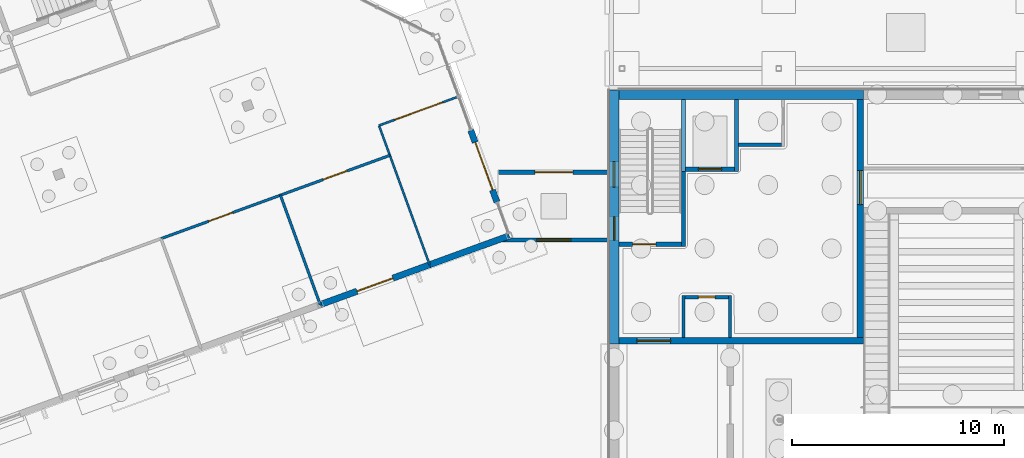
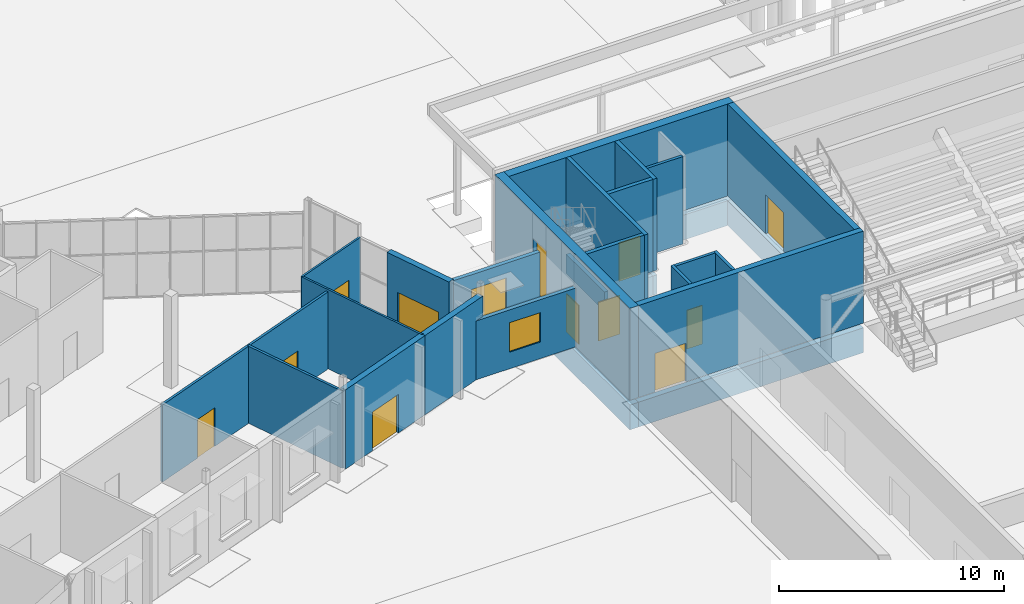
# One storey, part 93 of 157: 29 walls, 12 doors, 2 windows, 14 openings.
"""IFC4 building model written with IfcOpenShell, lengths in metres."""

import ifcopenshell
import ifcopenshell.guid

model = None  # the IFC model being written
_history = None  # IfcOwnerHistory: only IFC2X3 demands one
_inside = {}  # id of a spatial element -> (the spatial element, [elements in it])
_under = {}  # id of a project, library or spatial element -> (it, [spatial elements below it])
_declared = {}  # id of a project -> (the project, [libraries it declares])
_typed = {}  # id of a type object -> (the type object, [elements of that type])
_made_of = {}  # id of a material, layer set ... -> (it, [elements and type objects made of it])


def new_model(schema):
    """Start an empty IFC model of exactly this schema.

    Asked for "IFC4X3", IfcOpenShell would pick the latest addendum, in which some entities
    have other attributes; the version numbers below select the first issue.
    IFC2X3 requires an IfcOwnerHistory on every rooted entity: one is made here for all.
    """
    global model, _history
    if schema == "IFC4X3":
        model = ifcopenshell.file(schema_version=(4, 3, 0, 0))
    else:
        model = ifcopenshell.file(schema=schema)
    _inside.clear()
    _under.clear()
    _declared.clear()
    _typed.clear()
    _made_of.clear()
    _history = None
    if model.schema == "IFC2X3":
        org = make("IfcOrganization", Name="unknown")
        user = make(
            "IfcPersonAndOrganization",
            ThePerson=make("IfcPerson", FamilyName="unknown"),
            TheOrganization=org,
        )
        app = make(
            "IfcApplication",
            ApplicationDeveloper=org,
            Version="unknown",
            ApplicationFullName="unknown",
            ApplicationIdentifier="unknown",
        )
        _history = make(
            "IfcOwnerHistory",
            OwningUser=user,
            OwningApplication=app,
            ChangeAction="ADDED",
            CreationDate=0,
        )
    return model


def make(cls, **values):
    """One entity of the class cls with the attributes given. An attribute that is None is left unset."""
    return model.create_entity(
        cls, **{name: value for name, value in values.items() if value is not None}
    )


def rooted(cls, **values):
    """An entity with a GlobalId (a new one), such as an element, a storey or a relation."""
    return make(cls, GlobalId=ifcopenshell.guid.new(), OwnerHistory=_history, **values)


def si_unit(unit_type, name, prefix=None):
    """IfcSIUnit, for example si_unit("LENGTHUNIT", "METRE", prefix="MILLI")."""
    return make("IfcSIUnit", UnitType=unit_type, Prefix=prefix, Name=name)


def assignment(units):
    """IfcUnitAssignment: the units of a project."""
    return None if units is None else make("IfcUnitAssignment", Units=units)


def point(xyz):
    """IfcCartesianPoint."""
    return None if xyz is None else make("IfcCartesianPoint", Coordinates=xyz)


def direction(xyz):
    """IfcDirection."""
    return None if xyz is None else make("IfcDirection", DirectionRatios=xyz)


def frame(location, z_axis=None, x_axis=None):
    """IfcAxis2Placement3D, a coordinate frame: its origin and axes. An axis left out is left unset."""
    return make(
        "IfcAxis2Placement3D",
        Location=point(location),
        Axis=direction(z_axis),
        RefDirection=direction(x_axis),
    )


def frame_2d(location, x_axis=None):
    """IfcAxis2Placement2D, a coordinate frame in the plane: its origin and x axis."""
    return make(
        "IfcAxis2Placement2D", Location=point(location), RefDirection=direction(x_axis)
    )


def origin():
    """The frame at (0, 0, 0) with its axes left unset."""
    return frame((0.0, 0.0, 0.0))


def place(relative_to, where):
    """IfcLocalPlacement: puts the frame where relative to a parent placement (None: the world)."""
    return make(
        "IfcLocalPlacement", PlacementRelTo=relative_to, RelativePlacement=where
    )


def context(
    kind, dimensions, precision=None, world=None, true_north=None, identifier=None
):
    """IfcGeometricRepresentationContext, for example the 3D "Model" context."""
    return make(
        "IfcGeometricRepresentationContext",
        ContextIdentifier=identifier,
        ContextType=kind,
        CoordinateSpaceDimension=dimensions,
        Precision=precision,
        WorldCoordinateSystem=world,
        TrueNorth=true_north,
    )


def subcontext(parent, identifier, kind, view, scale=None):
    """IfcGeometricRepresentationSubContext, for example "Body" below "Model"."""
    return make(
        "IfcGeometricRepresentationSubContext",
        ContextIdentifier=identifier,
        ContextType=kind,
        ParentContext=parent,
        TargetScale=scale,
        TargetView=view,
    )


def project(units=None, contexts=None):
    """IfcProject with its units and contexts."""
    return rooted(
        "IfcProject",
        Name="project",
        RepresentationContexts=contexts,
        UnitsInContext=assignment(units),
    )


def spatial(cls, under=None, at=None, **own):
    """A site, building, storey or space (cls), placed at a placement, below another one or the project."""
    s = rooted(cls, ObjectPlacement=at, **own)
    if under is not None:
        _under.setdefault(under.id(), (under, []))[1].append(s)
    return s


def profile(cls, at=None, kind="AREA", **sizes):
    """A parametric profile (cls). Its sizes go by their IFC names, for example OverallWidth=200.0."""
    return make(cls, ProfileType=kind, Position=at, **sizes)


def rectangle(**sizes):
    """IfcRectangleProfileDef."""
    return profile("IfcRectangleProfileDef", **sizes)


def extrude(swept, where, along, depth):
    """IfcExtrudedAreaSolid: the profile swept, set in the frame where, extruded along a direction by depth."""
    return make(
        "IfcExtrudedAreaSolid",
        SweptArea=swept,
        Position=where,
        ExtrudedDirection=direction(along),
        Depth=depth,
    )


def shape(context_of_items, identifier, shape_type, items):
    """IfcShapeRepresentation: the items that make up one representation, for example the "Body"."""
    return make(
        "IfcShapeRepresentation",
        ContextOfItems=context_of_items,
        RepresentationIdentifier=identifier,
        RepresentationType=shape_type,
        Items=items,
    )


def material(Name=None, Category=None):
    """IfcMaterial."""
    return make("IfcMaterial", Name=Name, Category=Category)


def layer(
    of_material, thickness, ventilated=None, Name=None, Category=None, Priority=None
):
    """IfcMaterialLayer: one layer of a wall or slab, of a material (None: an air gap)."""
    return make(
        "IfcMaterialLayer",
        Material=of_material,
        LayerThickness=thickness,
        IsVentilated=ventilated,
        Name=Name,
        Category=Category,
        Priority=Priority,
    )


def layer_set(layers, Name=None):
    """IfcMaterialLayerSet."""
    return make("IfcMaterialLayerSet", MaterialLayers=layers, LayerSetName=Name)


def made_of(thing, what):
    """Note that an element or type object is made of a material, layer set ...; save() writes the relation."""
    if what is not None:
        _made_of.setdefault(what.id(), (what, []))[1].append(thing)
    return thing


def type_object(cls, material=None, **own):
    """A type object (cls), such as IfcWallType, which elements share."""
    return made_of(rooted(cls, **own), material)


def element(
    cls,
    number,
    at=None,
    inside=None,
    cuts=None,
    type_object=None,
    material=None,
    context=None,
    identifier="Body",
    shape_type=None,
    held_by="IfcProductDefinitionShape",
    body=None,
    shapes=None,
    **own,
):
    """One element of the class cls, such as IfcWall. Its Tag is "e" and its number.

    at: its placement. inside: the storey or other place that contains it. cuts: it is an
    opening in that element (IfcRelVoidsElement). A single representation is given by context,
    identifier, shape_type and body (its items); several are given by shapes. held_by: the class
    of the entity that holds the representations. save() writes the other relations.
    """
    e = rooted(cls, Tag="e%d" % number, ObjectPlacement=at, **own)
    if body is not None:
        shapes = [shape(context, identifier, shape_type, body)]
    if shapes is not None:
        e.Representation = make(held_by, Representations=shapes)
    if inside is not None:
        _inside.setdefault(inside.id(), (inside, []))[1].append(e)
    if cuts is not None:
        rooted(
            "IfcRelVoidsElement", RelatingBuildingElement=cuts, RelatedOpeningElement=e
        )
    if type_object is not None:
        _typed.setdefault(type_object.id(), (type_object, []))[1].append(e)
    return made_of(e, material)


def fill(opening, filler):
    """IfcRelFillsElement: the door or window that sits in an opening."""
    return rooted(
        "IfcRelFillsElement",
        RelatingOpeningElement=opening,
        RelatedBuildingElement=filler,
    )


def aggregate(whole, parts):
    """IfcRelAggregates: a whole, such as a stair, and the parts it consists of."""
    return rooted("IfcRelAggregates", RelatingObject=whole, RelatedObjects=parts)


def save(model, path):
    """Write the relations noted so far, then the file.

    IfcRelAggregates (storeys below a building ...), IfcRelContainedInSpatialStructure (elements
    in a storey), IfcRelDefinesByType, IfcRelAssociatesMaterial and IfcRelDeclares: one each for
    every whole, place, type object, material and project.
    """
    for whole, parts in _under.values():
        aggregate(whole, parts)
    for where, things in _inside.values():
        rooted(
            "IfcRelContainedInSpatialStructure",
            RelatedElements=things,
            RelatingStructure=where,
        )
    for kind, things in _typed.values():
        rooted("IfcRelDefinesByType", RelatedObjects=things, RelatingType=kind)
    for what, things in _made_of.values():
        rooted("IfcRelAssociatesMaterial", RelatedObjects=things, RelatingMaterial=what)
    for by, libraries in _declared.values():
        rooted("IfcRelDeclares", RelatingContext=by, RelatedDefinitions=libraries)
    model.write(path)


model = new_model("IFC4")

# Units and contexts
model_context = context("Model", 3, precision=1e-05, world=origin(), true_north=direction((0.0, 1.0)))
body_context = subcontext(model_context, "Body", "Model", "MODEL_VIEW")
ifc_project = project(units=[si_unit("LENGTHUNIT", "METRE"), si_unit("AREAUNIT", "SQUARE_METRE"), si_unit("VOLUMEUNIT", "CUBIC_METRE"), si_unit("PLANEANGLEUNIT", "RADIAN"), si_unit("MASSUNIT", "GRAM", prefix="KILO")], contexts=[model_context])

# Site, building, storey
site_placement = place(None, origin())
site = spatial("IfcSite", under=ifc_project, at=site_placement, CompositionType="ELEMENT")
building_placement = place(site_placement, origin())
building = spatial("IfcBuilding", under=site, at=building_placement, Name="Windward Yard Aquatics Centre", CompositionType="ELEMENT")
storey_placement = place(building_placement, origin())
storey = spatial("IfcBuildingStorey", under=building, at=storey_placement, Name="L00", CompositionType="ELEMENT", Elevation=0.0)

# Wall, opening, door
ifc_material_1 = material(Name="Concrete C35/45", Category="concrete")
ifc_layer_1 = layer(ifc_material_1, 0.199951171875)
ifc_layer_set_1 = layer_set([ifc_layer_1], Name="C link side wall 200")
wall_type_1 = type_object("IfcWallType", Name="C link side wall 200", PredefinedType="ELEMENTEDWALL", material=ifc_layer_set_1)
wall_1_placement = place(storey_placement, frame((46.765380859375, 92.10009765625, 0.0), z_axis=(0.0, 0.0, 1.0), x_axis=(1.0, 0.0, 0.0)))
wall_1 = element("IfcWall", 1, at=wall_1_placement, inside=storey, type_object=wall_type_1, Name="C.W.X.V3V1.L00.N", PredefinedType="ELEMENTEDWALL", context=body_context, shape_type="SweptSolid", body=[
    extrude(rectangle(XDim=5.234619140625, YDim=0.199951171875, at=frame_2d((2.6171875, 0.0))), origin(), (0.0, 0.0, 1.0), 3.199951171875),
])
opening_1_placement = place(wall_1_placement, frame((1.71728515625, 0.0, 0.0)))
opening_1 = element("IfcOpeningElement", 2, at=opening_1_placement, cuts=wall_1, Name="Opening C0006", PredefinedType="OPENING", context=body_context, shape_type="SweptSolid", body=[
    extrude(rectangle(XDim=1.800048828125, YDim=2.39990234375, at=frame_2d((0.89990234375, 1.199951171875))), frame((0.0, 0.10986328125, 0.0), z_axis=(0.0, -1.0, 0.0), x_axis=(1.0, 0.0, 0.0)), (0.0, 0.0, 1.0), 0.219970703125),
])
ifc_material_2 = material(Name="Aluminium and toughened glass", Category="aluminium")
door_type_1 = type_object("IfcDoorType", Name="C double door 1800X2400 NOT RATED", OperationType="DOUBLE_DOOR_SINGLE_SWING", PredefinedType="DOOR", material=ifc_material_2)
door_1_placement = place(opening_1_placement, origin())
door_1 = element("IfcDoor", 3, at=door_1_placement, inside=storey, type_object=door_type_1, Name="Link exit door to the yard", OperationType="DOUBLE_DOOR_SINGLE_SWING", OverallHeight=2.39990234375, OverallWidth=1.800048828125, PredefinedType="DOOR", context=body_context, shape_type="SweptSolid", body=[
    extrude(rectangle(XDim=1.800048828125, YDim=2.39990234375, at=frame_2d((0.89990234375, 1.199951171875))), frame((0.0, 0.02490234375, 0.0), z_axis=(0.0, -1.0, 0.0), x_axis=(1.0, 0.0, 0.0)), (0.0, 0.0, 1.0), 0.050048828125),
])
fill(opening_1, door_1)

# Wall, opening, window
wall_2_placement = place(storey_placement, frame((46.765380859375, 88.89990234375, 0.0), z_axis=(0.0, 0.0, 1.0), x_axis=(1.0, 0.0, 0.0)))
wall_2 = element("IfcWall", 4, at=wall_2_placement, inside=storey, type_object=wall_type_1, Name="C.W.X.V3V1.L00.S", PredefinedType="ELEMENTEDWALL", context=body_context, shape_type="SweptSolid", body=[
    extrude(rectangle(XDim=5.234619140625, YDim=0.199951171875, at=frame_2d((2.6171875, 0.0))), origin(), (0.0, 0.0, 1.0), 3.199951171875),
])
opening_2_placement = place(wall_2_placement, frame((1.8173828125, 0.0, 0.89990234375)))
opening_2 = element("IfcOpeningElement", 5, at=opening_2_placement, cuts=wall_2, Name="Opening CW0052", PredefinedType="OPENING", context=body_context, shape_type="SweptSolid", body=[
    extrude(rectangle(XDim=1.60009765625, YDim=1.60009765625, at=frame_2d((0.800048828125, 0.800048828125))), frame((0.0, 0.10986328125, 0.0), z_axis=(0.0, -1.0, 0.0), x_axis=(1.0, 0.0, 0.0)), (0.0, 0.0, 1.0), 0.219970703125),
])
ifc_material_3 = material(Name="Aluminium framed double glazing", Category="aluminium")
window_type_1 = type_object("IfcWindowType", Name="C window 1600X1600", PartitioningType="SINGLE_PANEL", PredefinedType="WINDOW", material=ifc_material_3)
window_1_placement = place(opening_2_placement, origin())
window_1 = element("IfcWindow", 6, at=window_1_placement, inside=storey, type_object=window_type_1, Name="Window CW0052", OverallHeight=1.60009765625, OverallWidth=1.60009765625, PartitioningType="SINGLE_PANEL", PredefinedType="WINDOW", context=body_context, shape_type="SweptSolid", body=[
    extrude(rectangle(XDim=1.60009765625, YDim=1.60009765625, at=frame_2d((0.800048828125, 0.800048828125))), frame((0.0, 0.030029296875, 0.0), z_axis=(0.0, -1.0, 0.0), x_axis=(1.0, 0.0, 0.0)), (0.0, 0.0, 1.0), 0.06005859375),
])
fill(opening_2, window_1)

# Wall
ifc_material_4 = material(Name="Laminated glass in aluminium frame", Category="aluminium")
ifc_layer_2 = layer(ifc_material_4, 0.10009765625)
ifc_layer_set_2 = layer_set([ifc_layer_2], Name="F glazed screen wall 100")
wall_type_2 = type_object("IfcWallType", Name="F glazed screen wall 100", PredefinedType="PARTITIONING", material=ifc_layer_set_2)
wall_3_placement = place(storey_placement, frame((43.515625, 87.7333984375, 0.0), z_axis=(0.0, 0.0, 1.0), x_axis=(-0.342037080957, 0.939686455819, 0.0)))
element("IfcWall", 7, at=wall_3_placement, inside=storey, type_object=wall_type_2, Name="F.WL.L00.P025", PredefinedType="PARTITIONING", context=body_context, shape_type="SweptSolid", body=[
    extrude(rectangle(XDim=7.0, YDim=0.10009765625, at=frame_2d((3.5, 0.0))), origin(), (0.0, 0.0, 1.0), 4.302978515625),
])

# Wall, opening, door
wall_4_placement = place(storey_placement, frame((41.121337890625, 94.311279296875, 0.0), z_axis=(0.0, 0.0, 1.0), x_axis=(0.939706071622, 0.341983185197, 0.0)))
wall_4 = element("IfcWall", 8, at=wall_4_placement, inside=storey, type_object=wall_type_2, Name="F.WL.L00.P026", PredefinedType="PARTITIONING", context=body_context, shape_type="SweptSolid", body=[
    extrude(rectangle(XDim=4.0, YDim=0.10009765625, at=frame_2d((2.0, 0.0))), origin(), (0.0, 0.0, 1.0), 4.302978515625),
])
opening_3_placement = place(wall_4_placement, frame((0.800048828125, 0.0, 0.0)))
opening_3 = element("IfcOpeningElement", 9, at=opening_3_placement, cuts=wall_4, Name="Opening F0013", PredefinedType="OPENING", context=body_context, shape_type="SweptSolid", body=[
    extrude(rectangle(XDim=2.39990234375, YDim=2.39990234375, at=frame_2d((1.199951171875, 1.199951171875))), frame((0.0, 0.06005859375, 0.0), z_axis=(0.0, -1.0, 0.0), x_axis=(1.0, 0.0, 0.0)), (0.0, 0.0, 1.0), 0.1201171875),
])
door_type_2 = type_object("IfcDoorType", Name="F automatic sliding door 2400x2400 aluminium", OperationType="SINGLE_SWING_LEFT", PredefinedType="DOOR", material=ifc_material_2)
door_2_placement = place(opening_3_placement, origin())
door_2 = element("IfcDoor", 10, at=door_2_placement, inside=storey, type_object=door_type_2, Name="Entrance Vestibule door F0013", OperationType="DOUBLE_DOOR_SLIDING", OverallHeight=2.39990234375, OverallWidth=2.39990234375, PredefinedType="DOOR", context=body_context, shape_type="SweptSolid", body=[
    extrude(rectangle(XDim=2.39990234375, YDim=2.39990234375, at=frame_2d((1.199951171875, 1.199951171875))), frame((0.0, 0.02490234375, 0.0), z_axis=(0.0, -1.0, 0.0), x_axis=(1.0, 0.0, 0.0)), (0.0, 0.0, 1.0), 0.050048828125),
])
fill(opening_3, door_2)

# Wall
ifc_material_5 = material(Name="Gypsum board on steel studs", Category="steel")
ifc_layer_3 = layer(ifc_material_5, 0.125)
ifc_layer_set_3 = layer_set([ifc_layer_3], Name="F partition 125 gypsum board")
wall_type_3 = type_object("IfcWallType", Name="F partition 125 gypsum board", PredefinedType="PARTITIONING", material=ifc_layer_set_3)
wall_5_placement = place(storey_placement, frame((38.347412109375, 85.852294921875, 0.0), z_axis=(0.0, 0.0, 1.0), x_axis=(-0.34202461616, 0.939690992795, 0.0)))
element("IfcWall", 11, at=wall_5_placement, inside=storey, type_object=wall_type_3, Name="F.WL.L00.P001", PredefinedType="PARTITIONING", context=body_context, shape_type="SweptSolid", body=[
    extrude(rectangle(XDim=5.5, YDim=0.125, at=frame_2d((2.75, 0.0))), origin(), (0.0, 0.0, 1.0), 4.18701171875),
])

# Wall, opening, door
wall_6_placement = place(storey_placement, frame((36.46630859375, 91.0205078125, 0.0), z_axis=(0.0, 0.0, 1.0), x_axis=(0.939690992795, 0.34202461616, 0.0)))
wall_6 = element("IfcWall", 12, at=wall_6_placement, inside=storey, type_object=wall_type_3, Name="F.WL.L00.P002", PredefinedType="PARTITIONING", context=body_context, shape_type="SweptSolid", body=[
    extrude(rectangle(XDim=5.5, YDim=0.125, at=frame_2d((2.75, 0.0))), origin(), (0.0, 0.0, 1.0), 4.18701171875),
])
opening_4_placement = place(wall_6_placement, frame((2.14990234375, 0.0, 0.0)))
opening_4 = element("IfcOpeningElement", 13, at=opening_4_placement, cuts=wall_6, Name="Opening F0012", PredefinedType="OPENING", context=body_context, shape_type="SweptSolid", body=[
    extrude(rectangle(XDim=1.199951171875, YDim=2.10009765625, at=frame_2d((0.60009765625, 1.050048828125))), frame((0.0, 0.072509765625, 0.0), z_axis=(0.0, -1.0, 0.0), x_axis=(1.0, 0.0, 0.0)), (0.0, 0.0, 1.0), 0.14501953125),
])
ifc_material_6 = material(Name="Timber, painted", Category="wood")
door_type_3 = type_object("IfcDoorType", Name="F fire door 1200x2100 timber FD30S", OperationType="SINGLE_SWING_LEFT", PredefinedType="DOOR", material=ifc_material_6)
door_3_placement = place(opening_4_placement, origin())
door_3 = element("IfcDoor", 14, at=door_3_placement, inside=storey, type_object=door_type_3, Name="Link Lobby door F0012", OperationType="SINGLE_SWING_LEFT", OverallHeight=2.10009765625, OverallWidth=1.199951171875, PredefinedType="DOOR", context=body_context, shape_type="SweptSolid", body=[
    extrude(rectangle(XDim=1.199951171875, YDim=2.10009765625, at=frame_2d((0.60009765625, 1.050048828125))), frame((0.0, 0.02490234375, 0.0), z_axis=(0.0, -1.0, 0.0), x_axis=(1.0, 0.0, 0.0)), (0.0, 0.0, 1.0), 0.050048828125),
])
fill(opening_4, door_3)

wall_7_placement = place(storey_placement, frame((30.827880859375, 88.968505859375, 0.0), z_axis=(0.0, 0.0, 1.0), x_axis=(0.939704292321, 0.341988074343, 0.0)))
wall_7 = element("IfcWall", 15, at=wall_7_placement, inside=storey, type_object=wall_type_3, Name="F.WL.L00.P020", PredefinedType="PARTITIONING", context=body_context, shape_type="SweptSolid", body=[
    extrude(rectangle(XDim=6.000244140625, YDim=0.125, at=frame_2d((3.0, 0.0))), origin(), (0.0, 0.0, 1.0), 4.18701171875),
])
opening_5_placement = place(wall_7_placement, frame((2.39990234375, 0.0, 0.0)))
opening_5 = element("IfcOpeningElement", 16, at=opening_5_placement, cuts=wall_7, Name="Opening F0011", PredefinedType="OPENING", context=body_context, shape_type="SweptSolid", body=[
    extrude(rectangle(XDim=1.199951171875, YDim=2.10009765625, at=frame_2d((0.60009765625, 1.050048828125))), frame((0.0, 0.072509765625, 0.0), z_axis=(0.0, -1.0, 0.0), x_axis=(1.0, 0.0, 0.0)), (0.0, 0.0, 1.0), 0.14501953125),
])
door_type_4 = type_object("IfcDoorType", Name="F door 1200x2100 timber", OperationType="SINGLE_SWING_LEFT", PredefinedType="DOOR", material=ifc_material_6)
door_4_placement = place(opening_5_placement, origin())
door_4 = element("IfcDoor", 17, at=door_4_placement, inside=storey, type_object=door_type_4, Name="First Aid Room door F0011", OperationType="SINGLE_SWING_RIGHT", OverallHeight=2.10009765625, OverallWidth=1.199951171875, PredefinedType="DOOR", context=body_context, shape_type="SweptSolid", body=[
    extrude(rectangle(XDim=1.199951171875, YDim=2.10009765625, at=frame_2d((0.60009765625, 1.050048828125))), frame((0.0, 0.02490234375, 0.0), z_axis=(0.0, -1.0, 0.0), x_axis=(1.0, 0.0, 0.0)), (0.0, 0.0, 1.0), 0.050048828125),
])
fill(opening_5, door_4)

ifc_material_7 = material(Name="Natural stone cladding", Category="masonry")
ifc_layer_4 = layer(ifc_material_7, 0.04, Name="Cladding")
ifc_material_8 = material(Name="Ventilated air cavity")
ifc_layer_5 = layer(ifc_material_8, 0.04, ventilated=True, Name="Ventilated cavity")
ifc_material_9 = material(Name="Mineral wool insulation")
ifc_layer_6 = layer(ifc_material_9, 0.06, Name="Insulation")
ifc_material_10 = material(Name="Concrete C40/50", Category="concrete")
ifc_layer_7 = layer(ifc_material_10, 0.16, Name="Structure")
ifc_layer_set_4 = layer_set([ifc_layer_4, ifc_layer_5, ifc_layer_6, ifc_layer_7], Name="F stone-faced infill wall 300 Concrete C40/50")
wall_type_4 = type_object("IfcWallType", Name="F stone-faced infill wall 300 Concrete C40/50", PredefinedType="ELEMENTEDWALL", material=ifc_layer_set_4)
wall_8_placement = place(storey_placement, frame((38.347412109375, 85.852294921875, 0.0), z_axis=(0.0, 0.0, 1.0), x_axis=(0.939690992795, 0.34202461616, 0.0)))
wall_8 = element("IfcWall", 18, at=wall_8_placement, inside=storey, type_object=wall_type_4, Name="F.WL.L00.E06", PredefinedType="ELEMENTEDWALL", context=body_context, shape_type="SweptSolid", body=[
    extrude(rectangle(XDim=5.5, YDim=0.300048828125, at=frame_2d((2.75, 0.0))), origin(), (0.0, 0.0, 1.0), 4.302978515625),
])
opening_6_placement = place(wall_8_placement, frame((1.85009765625, 0.0, 0.0)))
opening_6 = element("IfcOpeningElement", 19, at=opening_6_placement, cuts=wall_8, Name="Opening F0003", PredefinedType="OPENING", context=body_context, shape_type="SweptSolid", body=[
    extrude(rectangle(XDim=1.800048828125, YDim=2.10009765625, at=frame_2d((0.89990234375, 1.050048828125))), frame((0.0, 0.16015625, 0.0), z_axis=(0.0, -1.0, 0.0), x_axis=(1.0, 0.0, 0.0)), (0.0, 0.0, 1.0), 0.320068359375),
])
door_type_5 = type_object("IfcDoorType", Name="F glazed door 1800x2100 aluminium", OperationType="SINGLE_SWING_LEFT", PredefinedType="DOOR", material=ifc_material_2)
door_5_placement = place(opening_6_placement, origin())
door_5 = element("IfcDoor", 20, at=door_5_placement, inside=storey, type_object=door_type_5, Name="Link door F0003", OperationType="DOUBLE_DOOR_SINGLE_SWING", OverallHeight=2.10009765625, OverallWidth=1.800048828125, PredefinedType="DOOR", context=body_context, shape_type="SweptSolid", body=[
    extrude(rectangle(XDim=1.800048828125, YDim=2.10009765625, at=frame_2d((0.89990234375, 1.050048828125))), frame((0.0, 0.02490234375, 0.0), z_axis=(0.0, -1.0, 0.0), x_axis=(1.0, 0.0, 0.0)), (0.0, 0.0, 1.0), 0.050048828125),
])
fill(opening_6, door_5)

# Wall
wall_9_placement = place(storey_placement, frame((43.515625, 87.7333984375, 0.0), z_axis=(0.0, 0.0, 1.0), x_axis=(0.939686455819, 0.342037080957, 0.0)))
element("IfcWall", 21, at=wall_9_placement, inside=storey, type_object=wall_type_4, Name="F.WL.L00.E07", PredefinedType="ELEMENTEDWALL", context=body_context, shape_type="SweptSolid", body=[
    extrude(rectangle(XDim=4.0, YDim=0.300048828125, at=frame_2d((2.0, 0.0))), origin(), (0.0, 0.0, 1.0), 4.302978515625),
])

# Wall, opening, door
wall_10_placement = place(storey_placement, frame((46.69287109375, 90.698974609375, 0.0), z_axis=(0.0, 0.0, 1.0), x_axis=(-0.342009868999, 0.939696360271, 0.0)))
wall_10 = element("IfcWall", 22, at=wall_10_placement, inside=storey, type_object=wall_type_4, Name="F.WL.L00.P01", PredefinedType="ELEMENTEDWALL", context=body_context, shape_type="SweptSolid", body=[
    extrude(rectangle(XDim=3.599853515625, YDim=0.300048828125, at=frame_2d((1.7998046875, 0.0))), origin(), (0.0, 0.0, 1.0), 4.302978515625),
])
opening_7_placement = place(wall_10_placement, frame((0.60009765625, 0.0, 0.0)))
opening_7 = element("IfcOpeningElement", 23, at=opening_7_placement, cuts=wall_10, Name="Opening F0004", PredefinedType="OPENING", context=body_context, shape_type="SweptSolid", body=[
    extrude(rectangle(XDim=2.39990234375, YDim=2.39990234375, at=frame_2d((1.199951171875, 1.199951171875))), frame((0.0, 0.16015625, 0.0), z_axis=(0.0, -1.0, 0.0), x_axis=(1.0, 0.0, 0.0)), (0.0, 0.0, 1.0), 0.320068359375),
])
door_6_placement = place(opening_7_placement, origin())
door_6 = element("IfcDoor", 24, at=door_6_placement, inside=storey, type_object=door_type_2, Name="Main entrance door F0004", OperationType="DOUBLE_DOOR_SLIDING", OverallHeight=2.39990234375, OverallWidth=2.39990234375, PredefinedType="DOOR", context=body_context, shape_type="SweptSolid", body=[
    extrude(rectangle(XDim=2.39990234375, YDim=2.39990234375, at=frame_2d((1.199951171875, 1.199951171875))), frame((0.0, 0.02490234375, 0.0), z_axis=(0.0, -1.0, 0.0), x_axis=(1.0, 0.0, 0.0)), (0.0, 0.0, 1.0), 0.050048828125),
])
fill(opening_7, door_6)

# Wall
ifc_layer_8 = layer(ifc_material_1, 0.199951171875)
ifc_layer_set_5 = layer_set([ifc_layer_8], Name="H Enclosure Wall Concrete C35/45 200")
wall_type_5 = type_object("IfcWallType", Name="H Enclosure Wall Concrete C35/45 200", PredefinedType="SOLIDWALL", material=ifc_layer_set_5)
wall_11_placement = place(storey_placement, frame((55.5, 95.550048828125, 0.0), z_axis=(0.0, 0.0, 1.0), x_axis=(0.0, -1.0, 0.0)))
element("IfcWall", 25, at=wall_11_placement, inside=storey, type_object=wall_type_5, Name="L00 W1 enclosure wall NW", PredefinedType="SOLIDWALL", context=body_context, shape_type="SweptSolid", body=[
    extrude(rectangle(XDim=6.949951171875, YDim=0.199951171875, at=frame_2d((3.47509765625, 0.0))), origin(), (0.0, 0.0, 1.0), 5.0),
])

# Wall, opening, door
wall_12_placement = place(storey_placement, frame((52.449951171875, 88.699951171875, 0.0), z_axis=(0.0, 0.0, 1.0), x_axis=(1.0, 0.0, 0.0)))
wall_12 = element("IfcWall", 26, at=wall_12_placement, inside=storey, type_object=wall_type_5, Name="L00 W2 enclosure wall NW", PredefinedType="SOLIDWALL", context=body_context, shape_type="SweptSolid", body=[
    extrude(rectangle(XDim=2.949951171875, YDim=0.199951171875, at=frame_2d((1.47509765625, 0.0))), origin(), (0.0, 0.0, 1.0), 5.0),
])
opening_8_placement = place(wall_12_placement, frame((0.64990234375, 0.0, 0.0)))
opening_8 = element("IfcOpeningElement", 27, at=opening_8_placement, cuts=wall_12, Name="Opening H0015", PredefinedType="OPENING", context=body_context, shape_type="SweptSolid", body=[
    extrude(rectangle(XDim=1.10009765625, YDim=2.10009765625, at=frame_2d((0.550048828125, 1.050048828125))), frame((0.0, 0.10986328125, 0.0), z_axis=(0.0, -1.0, 0.0), x_axis=(1.0, 0.0, 0.0)), (0.0, 0.0, 1.0), 0.219970703125),
])
ifc_material_11 = material(Name="Steel and timber door leaf", Category="steel")
door_type_6 = type_object("IfcDoorType", Name="H Door Single 1100 x 2100 FD60", OperationType="NOTDEFINED", PredefinedType="DOOR", material=ifc_material_11)
door_7_placement = place(opening_8_placement, origin())
door_7 = element("IfcDoor", 28, at=door_7_placement, inside=storey, type_object=door_type_6, Name="L00 stair NW door", OperationType="SINGLE_SWING_RIGHT", OverallHeight=2.10009765625, OverallWidth=1.10009765625, PredefinedType="DOOR", context=body_context, shape_type="SweptSolid", body=[
    extrude(rectangle(XDim=1.10009765625, YDim=2.10009765625, at=frame_2d((0.550048828125, 1.050048828125))), frame((0.0, 0.02490234375, 0.0), z_axis=(0.0, -1.0, 0.0), x_axis=(1.0, 0.0, 0.0)), (0.0, 0.0, 1.0), 0.050048828125),
])
fill(opening_8, door_7)

# Wall
wall_13_placement = place(storey_placement, frame((58.0, 95.550048828125, 0.0), z_axis=(0.0, 0.0, 1.0), x_axis=(0.0, -1.0, 0.0)))
element("IfcWall", 29, at=wall_13_placement, inside=storey, type_object=wall_type_5, Name="L00 W3 enclosure wall NW", PredefinedType="SOLIDWALL", context=body_context, shape_type="SweptSolid", body=[
    extrude(rectangle(XDim=3.400146484375, YDim=0.199951171875, at=frame_2d((1.7001953125, 0.0))), origin(), (0.0, 0.0, 1.0), 5.0),
])

# Wall, opening, door
wall_14_placement = place(storey_placement, frame((55.60009765625, 92.25, 0.0), z_axis=(0.0, 0.0, 1.0), x_axis=(1.0, 0.0, 0.0)))
wall_14 = element("IfcWall", 30, at=wall_14_placement, inside=storey, type_object=wall_type_5, Name="L00 W4 enclosure wall NW", PredefinedType="SOLIDWALL", context=body_context, shape_type="SweptSolid", body=[
    extrude(rectangle(XDim=2.2998046875, YDim=0.199951171875, at=frame_2d((1.14990234375, 0.0))), origin(), (0.0, 0.0, 1.0), 5.0),
])
opening_9_placement = place(wall_14_placement, frame((0.60009765625, 0.0, 0.0)))
opening_9 = element("IfcOpeningElement", 31, at=opening_9_placement, cuts=wall_14, Name="Opening H0016", PredefinedType="OPENING", context=body_context, shape_type="SweptSolid", body=[
    extrude(rectangle(XDim=1.10009765625, YDim=2.10009765625, at=frame_2d((0.550048828125, 1.050048828125))), frame((0.0, 0.10986328125, 0.0), z_axis=(0.0, -1.0, 0.0), x_axis=(1.0, 0.0, 0.0)), (0.0, 0.0, 1.0), 0.219970703125),
])
ifc_material_12 = material(Name="Stainless steel 1.4301", Category="steel")
door_type_7 = type_object("IfcDoorType", Name="H Lift Landing Door 1100 x 2100", OperationType="DOUBLE_DOOR_SLIDING", PredefinedType="DOOR", material=ifc_material_12)
door_8_placement = place(opening_9_placement, origin())
door_8 = element("IfcDoor", 32, at=door_8_placement, inside=storey, type_object=door_type_7, Name="Lift NW landing door L00", OperationType="DOUBLE_DOOR_SLIDING", OverallHeight=2.10009765625, OverallWidth=1.10009765625, PredefinedType="DOOR", context=body_context, shape_type="SweptSolid", body=[
    extrude(rectangle(XDim=1.10009765625, YDim=2.10009765625, at=frame_2d((0.550048828125, 1.050048828125))), frame((0.0, 0.02490234375, 0.0), z_axis=(0.0, -1.0, 0.0), x_axis=(1.0, 0.0, 0.0)), (0.0, 0.0, 1.0), 0.050048828125),
])
fill(opening_9, door_8)

# Walls
ifc_layer_9 = layer(ifc_material_1, 0.199951171875)
ifc_layer_set_6 = layer_set([ifc_layer_9], Name="H Lift Pit Wall Concrete C35/45 200")
wall_type_6 = type_object("IfcWallType", Name="H Lift Pit Wall Concrete C35/45 200", PredefinedType="SOLIDWALL", material=ifc_layer_set_6)
for number, where, z_axis, x_axis, name in (
    (33, (55.5, 95.550048828125, -1.300048828125), (0.0, 0.0, 1.0), (0.0, -1.0, 0.0), "Lift pit wall P1 NW"),
    (34, (58.0, 95.550048828125, -1.300048828125), (0.0, 0.0, 1.0), (0.0, -1.0, 0.0), "Lift pit wall P3 NW"),
):
    element("IfcWall", number, at=place(storey_placement, frame(where, z_axis=z_axis, x_axis=x_axis)), inside=storey, type_object=wall_type_6, Name=name, PredefinedType="SOLIDWALL", context=body_context, shape_type="SweptSolid", body=[
        extrude(rectangle(XDim=3.400146484375, YDim=0.199951171875, at=frame_2d((1.7001953125, 0.0))), origin(), (0.0, 0.0, 1.0), 1.050048828125),
    ])
wall_15_placement = place(storey_placement, frame((55.60009765625, 92.25, -1.300048828125), z_axis=(0.0, 0.0, 1.0), x_axis=(1.0, 0.0, 0.0)))
element("IfcWall", 35, at=wall_15_placement, inside=storey, type_object=wall_type_6, Name="Lift pit wall P4 NW", PredefinedType="SOLIDWALL", context=body_context, shape_type="SweptSolid", body=[
    extrude(rectangle(XDim=2.2998046875, YDim=0.199951171875, at=frame_2d((1.14990234375, 0.0))), origin(), (0.0, 0.0, 1.0), 1.050048828125),
])
ifc_material_13 = material(Name="Blockwork 150 mm", Category="masonry")
ifc_layer_10 = layer(ifc_material_13, 0.14990234375)
ifc_layer_set_7 = layer_set([ifc_layer_10], Name="H Partition Blockwork 150")
wall_type_7 = type_object("IfcWallType", Name="H Partition Blockwork 150", PredefinedType="PARTITIONING", material=ifc_layer_set_7)
wall_16_placement = place(storey_placement, frame((58.10009765625, 93.39990234375, 0.0), z_axis=(0.0, 0.0, 1.0), x_axis=(1.0, 0.0, 0.0)))
element("IfcWall", 36, at=wall_16_placement, inside=storey, type_object=wall_type_7, Name="L00 R1N riser wall NW", PredefinedType="PARTITIONING", context=body_context, shape_type="SweptSolid", body=[
    extrude(rectangle(XDim=2.02490234375, YDim=0.14990234375, at=frame_2d((1.012451171875, 0.0))), origin(), (0.0, 0.0, 1.0), 4.75),
])

# Wall, opening, door
wall_17_placement = place(storey_placement, frame((55.574951171875, 86.199951171875, 0.0), z_axis=(0.0, 0.0, 1.0), x_axis=(1.0, 0.0, 0.0)))
wall_17 = element("IfcWall", 37, at=wall_17_placement, inside=storey, type_object=wall_type_7, Name="L00 R2S riser wall NW", PredefinedType="PARTITIONING", context=body_context, shape_type="SweptSolid", body=[
    extrude(rectangle(XDim=2.050048828125, YDim=0.14990234375, at=frame_2d((1.02490234375, 0.0))), origin(), (0.0, 0.0, 1.0), 4.75),
])
opening_10_placement = place(wall_17_placement, frame((0.625, 0.0, 0.0)))
opening_10 = element("IfcOpeningElement", 38, at=opening_10_placement, cuts=wall_17, Name="Opening H0018", PredefinedType="OPENING", context=body_context, shape_type="SweptSolid", body=[
    extrude(rectangle(XDim=0.800048828125, YDim=2.10009765625, at=frame_2d((0.39990234375, 1.050048828125))), frame((0.0, 0.0849609375, 0.0), z_axis=(0.0, -1.0, 0.0), x_axis=(1.0, 0.0, 0.0)), (0.0, 0.0, 1.0), 0.169921875),
])
door_type_8 = type_object("IfcDoorType", Name="H Door Riser 800 x 2100 FD60", OperationType="NOTDEFINED", PredefinedType="DOOR", material=ifc_material_11)
door_9_placement = place(opening_10_placement, origin())
door_9 = element("IfcDoor", 39, at=door_9_placement, inside=storey, type_object=door_type_8, Name="L00 communications riser NW door", OperationType="SINGLE_SWING_RIGHT", OverallHeight=2.10009765625, OverallWidth=0.800048828125, PredefinedType="DOOR", context=body_context, shape_type="SweptSolid", body=[
    extrude(rectangle(XDim=0.800048828125, YDim=2.10009765625, at=frame_2d((0.39990234375, 1.050048828125))), frame((0.0, 0.02490234375, 0.0), z_axis=(0.0, -1.0, 0.0), x_axis=(1.0, 0.0, 0.0)), (0.0, 0.0, 1.0), 0.050048828125),
])
fill(opening_10, door_9)

# Walls
for number, where, z_axis, x_axis, name in (
    (40, (55.5, 86.27490234375, 0.0), (0.0, 0.0, 1.0), (0.0, -1.0, 0.0), "L00 R2W riser wall NW"),
    (41, (57.699951171875, 86.27490234375, 0.0), (0.0, 0.0, 1.0), (0.0, -1.0, 0.0), "L00 R2E riser wall NW"),
):
    element("IfcWall", number, at=place(storey_placement, frame(where, z_axis=z_axis, x_axis=x_axis)), inside=storey, type_object=wall_type_7, Name=name, PredefinedType="PARTITIONING", context=body_context, shape_type="SweptSolid", body=[
        extrude(rectangle(XDim=1.974853515625, YDim=0.14990234375, at=frame_2d((0.9873046875, 0.0))), origin(), (0.0, 0.0, 1.0), 4.75),
    ])
ifc_layer_11 = layer(ifc_material_7, 0.04, Name="Cladding")
ifc_layer_12 = layer(ifc_material_8, 0.05, ventilated=True, Name="Ventilated cavity")
ifc_layer_13 = layer(ifc_material_9, 0.08, Name="Insulation")
ifc_layer_14 = layer(ifc_material_1, 0.28, Name="Structure")
ifc_layer_set_8 = layer_set([ifc_layer_11, ifc_layer_12, ifc_layer_13, ifc_layer_14], Name="H plinth wall stone faced 450 C35/45")
wall_type_8 = type_object("IfcWallType", Name="H plinth wall stone faced 450 C35/45", PredefinedType="ELEMENTEDWALL", material=ifc_layer_set_8)
wall_18_placement = place(storey_placement, frame((52.22509765625, 96.0, -1.60009765625), z_axis=(0.0, 0.0, 1.0), x_axis=(0.0, -1.0, 0.0)))
element("IfcWall", 42, at=wall_18_placement, inside=storey, type_object=wall_type_8, Name="H.CW.NW.W.PIT", PredefinedType="ELEMENTEDWALL", context=body_context, shape_type="SweptSolid", body=[
    extrude(rectangle(XDim=12.0, YDim=0.449951171875, at=frame_2d((6.0, 0.0))), origin(), (0.0, 0.0, 1.0), 1.35009765625),
])

# Wall, openings, window, door
wall_19_placement = place(storey_placement, frame((52.22509765625, 96.0, 0.0), z_axis=(0.0, 0.0, 1.0), x_axis=(0.0, -1.0, 0.0)))
wall_19 = element("IfcWall", 43, at=wall_19_placement, inside=storey, type_object=wall_type_8, Name="H.CW.NW.W.L00", PredefinedType="ELEMENTEDWALL", context=body_context, shape_type="SweptSolid", body=[
    extrude(rectangle(XDim=12.0, YDim=0.449951171875, at=frame_2d((6.0, 0.0))), origin(), (0.0, 0.0, 1.0), 5.0),
])
opening_11_placement = place(wall_19_placement, frame((6.0, 0.0, 0.0)))
opening_11 = element("IfcOpeningElement", 44, at=opening_11_placement, cuts=wall_19, Name="Opening H0021", PredefinedType="OPENING", context=body_context, shape_type="SweptSolid", body=[
    extrude(rectangle(XDim=1.10009765625, YDim=2.10009765625, at=frame_2d((0.550048828125, 1.050048828125))), frame((0.0, 0.23486328125, 0.0), z_axis=(0.0, -1.0, 0.0), x_axis=(1.0, 0.0, 0.0)), (0.0, 0.0, 1.0), 0.469970703125),
])
opening_12_placement = place(wall_19_placement, frame((3.39990234375, 0.0, 0.60009765625)))
opening_12 = element("IfcOpeningElement", 45, at=opening_12_placement, cuts=wall_19, Name="Opening W0105", PredefinedType="OPENING", context=body_context, shape_type="SweptSolid", body=[
    extrude(rectangle(XDim=1.199951171875, YDim=3.0, at=frame_2d((0.60009765625, 1.5))), frame((0.0, 0.23486328125, 0.0), z_axis=(0.0, -1.0, 0.0), x_axis=(1.0, 0.0, 0.0)), (0.0, 0.0, 1.0), 0.469970703125),
])
ifc_material_14 = material(Name="Fire-resisting glazing in steel frame", Category="steel")
window_type_2 = type_object("IfcWindowType", Name="H Core Stair Window 1200 x 3000 EI 60", PartitioningType="SINGLE_PANEL", PredefinedType="WINDOW", material=ifc_material_14)
window_2_placement = place(opening_12_placement, origin())
window_2 = element("IfcWindow", 46, at=window_2_placement, inside=storey, type_object=window_type_2, Name="L00 core NW stair window", OverallHeight=3.0, OverallWidth=1.199951171875, PartitioningType="SINGLE_PANEL", PredefinedType="WINDOW", context=body_context, shape_type="SweptSolid", body=[
    extrude(rectangle(XDim=1.199951171875, YDim=3.0, at=frame_2d((0.60009765625, 1.5))), frame((0.0, 0.030029296875, 0.0), z_axis=(0.0, -1.0, 0.0), x_axis=(1.0, 0.0, 0.0)), (0.0, 0.0, 1.0), 0.06005859375),
])
fill(opening_12, window_2)
door_10_placement = place(opening_11_placement, origin())
door_10 = element("IfcDoor", 47, at=door_10_placement, inside=storey, type_object=door_type_6, Name="Stair NW exit door", OperationType="SINGLE_SWING_RIGHT", OverallHeight=2.10009765625, OverallWidth=1.10009765625, PredefinedType="DOOR", context=body_context, shape_type="SweptSolid", body=[
    extrude(rectangle(XDim=1.10009765625, YDim=2.10009765625, at=frame_2d((0.550048828125, 1.050048828125))), frame((0.0, 0.02490234375, 0.0), z_axis=(0.0, -1.0, 0.0), x_axis=(1.0, 0.0, 0.0)), (0.0, 0.0, 1.0), 0.050048828125),
])
fill(opening_11, door_10)

# Walls
wall_20_placement = place(storey_placement, frame((52.449951171875, 95.77490234375, -1.60009765625), z_axis=(0.0, 0.0, 1.0), x_axis=(1.0, 0.0, 0.0)))
element("IfcWall", 48, at=wall_20_placement, inside=storey, type_object=wall_type_8, Name="H.CW.NW.N.PIT", PredefinedType="ELEMENTEDWALL", context=body_context, shape_type="SweptSolid", body=[
    extrude(rectangle(XDim=11.550048828125, YDim=0.449951171875, at=frame_2d((5.77490234375, 0.0))), origin(), (0.0, 0.0, 1.0), 1.35009765625),
])
wall_21_placement = place(storey_placement, frame((52.449951171875, 95.77490234375, 0.0), z_axis=(0.0, 0.0, 1.0), x_axis=(1.0, 0.0, 0.0)))
element("IfcWall", 49, at=wall_21_placement, inside=storey, type_object=wall_type_8, Name="H.CW.NW.N.L00", PredefinedType="ELEMENTEDWALL", context=body_context, shape_type="SweptSolid", body=[
    extrude(rectangle(XDim=11.550048828125, YDim=0.449951171875, at=frame_2d((5.77490234375, 0.0))), origin(), (0.0, 0.0, 1.0), 5.0),
])
ifc_layer_15 = layer(ifc_material_1, 0.300048828125)
ifc_layer_set_9 = layer_set([ifc_layer_15], Name="H rear wall 300 C35/45")
wall_type_9 = type_object("IfcWallType", Name="H rear wall 300 C35/45", PredefinedType="SOLIDWALL", material=ifc_layer_set_9)
wall_22_placement = place(storey_placement, frame((63.85009765625, 95.550048828125, -1.60009765625), z_axis=(0.0, 0.0, 1.0), x_axis=(0.0, -1.0, 0.0)))
element("IfcWall", 50, at=wall_22_placement, inside=storey, type_object=wall_type_9, Name="H.CW.NW.E.PIT", PredefinedType="SOLIDWALL", context=body_context, shape_type="SweptSolid", body=[
    extrude(rectangle(XDim=11.25, YDim=0.300048828125, at=frame_2d((5.625, 0.0))), origin(), (0.0, 0.0, 1.0), 1.35009765625),
])

# Wall, opening, door
wall_23_placement = place(storey_placement, frame((63.85009765625, 95.550048828125, 0.0), z_axis=(0.0, 0.0, 1.0), x_axis=(0.0, -1.0, 0.0)))
wall_23 = element("IfcWall", 51, at=wall_23_placement, inside=storey, type_object=wall_type_9, Name="H.CW.NW.E.L00", PredefinedType="SOLIDWALL", context=body_context, shape_type="SweptSolid", body=[
    extrude(rectangle(XDim=11.25, YDim=0.300048828125, at=frame_2d((5.625, 0.0))), origin(), (0.0, 0.0, 1.0), 5.0),
])
opening_13_placement = place(wall_23_placement, frame((3.3701171875, 0.0, 0.0)))
opening_13 = element("IfcOpeningElement", 52, at=opening_13_placement, cuts=wall_23, Name="Opening H0019", PredefinedType="OPENING", context=body_context, shape_type="SweptSolid", body=[
    extrude(rectangle(XDim=1.60009765625, YDim=2.10009765625, at=frame_2d((0.800048828125, 1.050048828125))), frame((0.0, 0.16015625, 0.0), z_axis=(0.0, -1.0, 0.0), x_axis=(1.0, 0.0, 0.0)), (0.0, 0.0, 1.0), 0.320068359375),
])
door_type_9 = type_object("IfcDoorType", Name="H Door Double 1600 x 2100 FD60", OperationType="DOUBLE_DOOR_SINGLE_SWING", PredefinedType="DOOR", material=ifc_material_11)
door_11_placement = place(opening_13_placement, origin())
door_11 = element("IfcDoor", 53, at=door_11_placement, inside=storey, type_object=door_type_9, Name="L00 core NW door to strip", OperationType="DOUBLE_DOOR_SINGLE_SWING", OverallHeight=2.10009765625, OverallWidth=1.60009765625, PredefinedType="DOOR", context=body_context, shape_type="SweptSolid", body=[
    extrude(rectangle(XDim=1.60009765625, YDim=2.10009765625, at=frame_2d((0.800048828125, 1.050048828125))), frame((0.0, 0.02490234375, 0.0), z_axis=(0.0, -1.0, 0.0), x_axis=(1.0, 0.0, 0.0)), (0.0, 0.0, 1.0), 0.050048828125),
])
fill(opening_13, door_11)

# Wall
wall_24_placement = place(storey_placement, frame((52.449951171875, 84.14990234375, -1.60009765625), z_axis=(0.0, 0.0, 1.0), x_axis=(1.0, 0.0, 0.0)))
element("IfcWall", 54, at=wall_24_placement, inside=storey, type_object=wall_type_9, Name="H.CW.NW.S.PIT", PredefinedType="SOLIDWALL", context=body_context, shape_type="SweptSolid", body=[
    extrude(rectangle(XDim=11.550048828125, YDim=0.300048828125, at=frame_2d((5.77490234375, 0.0))), origin(), (0.0, 0.0, 1.0), 1.35009765625),
])

# Wall, opening, door
wall_25_placement = place(storey_placement, frame((52.449951171875, 84.14990234375, 0.0), z_axis=(0.0, 0.0, 1.0), x_axis=(1.0, 0.0, 0.0)))
wall_25 = element("IfcWall", 55, at=wall_25_placement, inside=storey, type_object=wall_type_9, Name="H.CW.NW.S.L00", PredefinedType="SOLIDWALL", context=body_context, shape_type="SweptSolid", body=[
    extrude(rectangle(XDim=11.550048828125, YDim=0.300048828125, at=frame_2d((5.77490234375, 0.0))), origin(), (0.0, 0.0, 1.0), 5.0),
])
opening_14_placement = place(wall_25_placement, frame((0.85009765625, 0.0, 0.0)))
opening_14 = element("IfcOpeningElement", 56, at=opening_14_placement, cuts=wall_25, Name="Opening H0020", PredefinedType="OPENING", context=body_context, shape_type="SweptSolid", body=[
    extrude(rectangle(XDim=1.60009765625, YDim=2.10009765625, at=frame_2d((0.800048828125, 1.050048828125))), frame((0.0, 0.16015625, 0.0), z_axis=(0.0, -1.0, 0.0), x_axis=(1.0, 0.0, 0.0)), (0.0, 0.0, 1.0), 0.320068359375),
])
door_12_placement = place(opening_14_placement, origin())
door_12 = element("IfcDoor", 57, at=door_12_placement, inside=storey, type_object=door_type_9, Name="L00 core NW door to gable", OperationType="DOUBLE_DOOR_SINGLE_SWING", OverallHeight=2.10009765625, OverallWidth=1.60009765625, PredefinedType="DOOR", context=body_context, shape_type="SweptSolid", body=[
    extrude(rectangle(XDim=1.60009765625, YDim=2.10009765625, at=frame_2d((0.800048828125, 1.050048828125))), frame((0.0, 0.02490234375, 0.0), z_axis=(0.0, -1.0, 0.0), x_axis=(1.0, 0.0, 0.0)), (0.0, 0.0, 1.0), 0.050048828125),
])
fill(opening_14, door_12)

save(model, "model.ifc")
